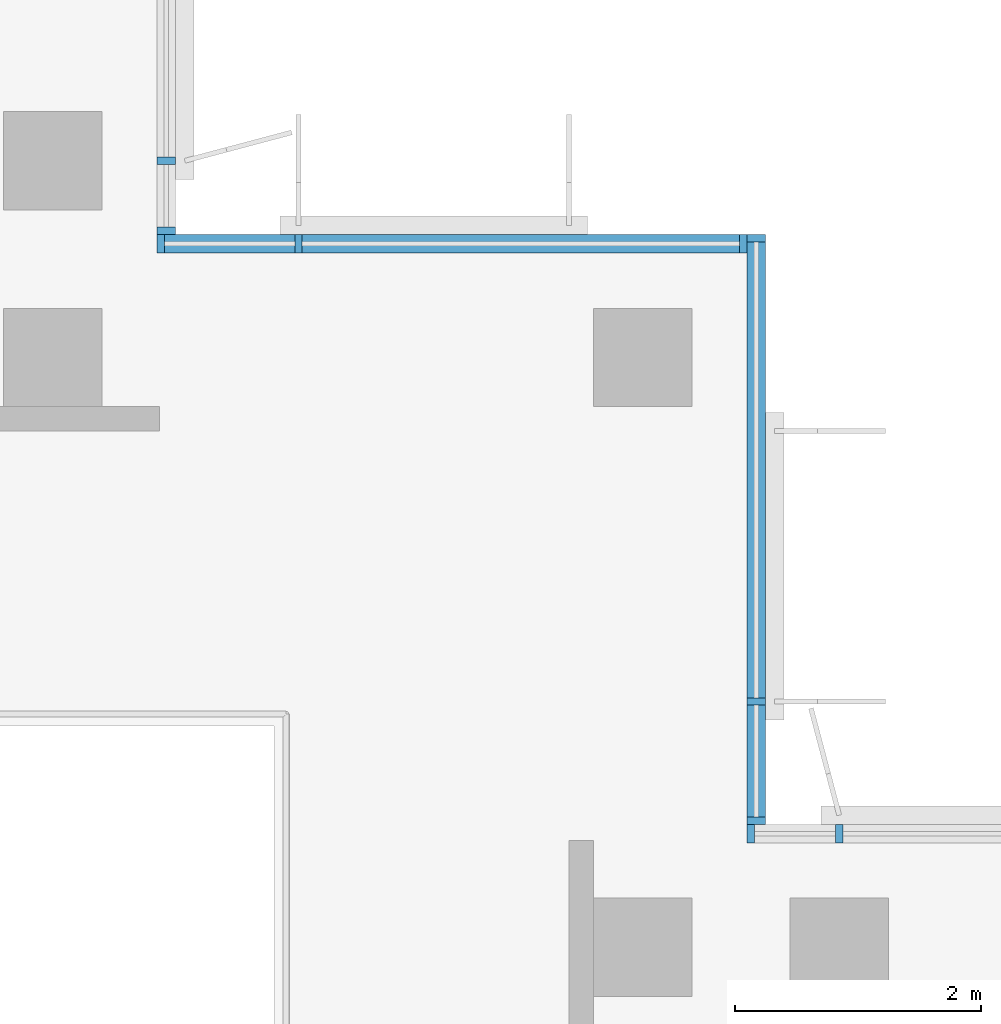
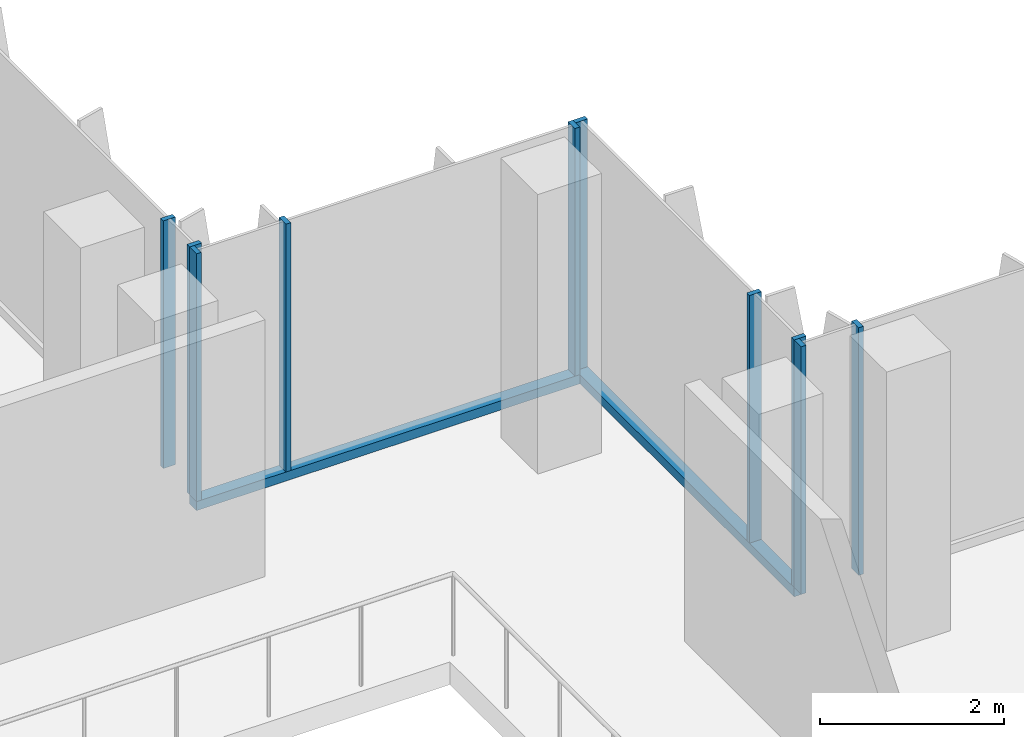
# One storey, part 2 of 15: 12 members, 4 elements without a shape of their own.
"""IFC4 building model written with IfcOpenShell, lengths in metres."""

import ifcopenshell
import ifcopenshell.guid

model = None  # the IFC model being written
_history = None  # IfcOwnerHistory: only IFC2X3 demands one
_inside = {}  # id of a spatial element -> (the spatial element, [elements in it])
_under = {}  # id of a project, library or spatial element -> (it, [spatial elements below it])
_declared = {}  # id of a project -> (the project, [libraries it declares])
_typed = {}  # id of a type object -> (the type object, [elements of that type])
_made_of = {}  # id of a material, layer set ... -> (it, [elements and type objects made of it])


def new_model(schema):
    """Start an empty IFC model of exactly this schema.

    Asked for "IFC4X3", IfcOpenShell would pick the latest addendum, in which some entities
    have other attributes; the version numbers below select the first issue.
    IFC2X3 requires an IfcOwnerHistory on every rooted entity: one is made here for all.
    """
    global model, _history
    if schema == "IFC4X3":
        model = ifcopenshell.file(schema_version=(4, 3, 0, 0))
    else:
        model = ifcopenshell.file(schema=schema)
    _inside.clear()
    _under.clear()
    _declared.clear()
    _typed.clear()
    _made_of.clear()
    _history = None
    if model.schema == "IFC2X3":
        org = make("IfcOrganization", Name="unknown")
        user = make(
            "IfcPersonAndOrganization",
            ThePerson=make("IfcPerson", FamilyName="unknown"),
            TheOrganization=org,
        )
        app = make(
            "IfcApplication",
            ApplicationDeveloper=org,
            Version="unknown",
            ApplicationFullName="unknown",
            ApplicationIdentifier="unknown",
        )
        _history = make(
            "IfcOwnerHistory",
            OwningUser=user,
            OwningApplication=app,
            ChangeAction="ADDED",
            CreationDate=0,
        )
    return model


def make(cls, **values):
    """One entity of the class cls with the attributes given. An attribute that is None is left unset."""
    return model.create_entity(
        cls, **{name: value for name, value in values.items() if value is not None}
    )


def rooted(cls, **values):
    """An entity with a GlobalId (a new one), such as an element, a storey or a relation."""
    return make(cls, GlobalId=ifcopenshell.guid.new(), OwnerHistory=_history, **values)


def si_unit(unit_type, name, prefix=None):
    """IfcSIUnit, for example si_unit("LENGTHUNIT", "METRE", prefix="MILLI")."""
    return make("IfcSIUnit", UnitType=unit_type, Prefix=prefix, Name=name)


def assignment(units):
    """IfcUnitAssignment: the units of a project."""
    return None if units is None else make("IfcUnitAssignment", Units=units)


def point(xyz):
    """IfcCartesianPoint."""
    return None if xyz is None else make("IfcCartesianPoint", Coordinates=xyz)


def direction(xyz):
    """IfcDirection."""
    return None if xyz is None else make("IfcDirection", DirectionRatios=xyz)


def frame(location, z_axis=None, x_axis=None):
    """IfcAxis2Placement3D, a coordinate frame: its origin and axes. An axis left out is left unset."""
    return make(
        "IfcAxis2Placement3D",
        Location=point(location),
        Axis=direction(z_axis),
        RefDirection=direction(x_axis),
    )


def frame_2d(location, x_axis=None):
    """IfcAxis2Placement2D, a coordinate frame in the plane: its origin and x axis."""
    return make(
        "IfcAxis2Placement2D", Location=point(location), RefDirection=direction(x_axis)
    )


def origin():
    """The frame at (0, 0, 0) with its axes left unset."""
    return frame((0.0, 0.0, 0.0))


def origin_2d():
    """The frame at (0, 0) in the plane with its x axis left unset."""
    return frame_2d((0.0, 0.0))


def place(relative_to, where):
    """IfcLocalPlacement: puts the frame where relative to a parent placement (None: the world)."""
    return make(
        "IfcLocalPlacement", PlacementRelTo=relative_to, RelativePlacement=where
    )


def context(
    kind, dimensions, precision=None, world=None, true_north=None, identifier=None
):
    """IfcGeometricRepresentationContext, for example the 3D "Model" context."""
    return make(
        "IfcGeometricRepresentationContext",
        ContextIdentifier=identifier,
        ContextType=kind,
        CoordinateSpaceDimension=dimensions,
        Precision=precision,
        WorldCoordinateSystem=world,
        TrueNorth=true_north,
    )


def subcontext(parent, identifier, kind, view, scale=None):
    """IfcGeometricRepresentationSubContext, for example "Body" below "Model"."""
    return make(
        "IfcGeometricRepresentationSubContext",
        ContextIdentifier=identifier,
        ContextType=kind,
        ParentContext=parent,
        TargetScale=scale,
        TargetView=view,
    )


def project(units=None, contexts=None):
    """IfcProject with its units and contexts."""
    return rooted(
        "IfcProject",
        Name="project",
        RepresentationContexts=contexts,
        UnitsInContext=assignment(units),
    )


def spatial(cls, under=None, at=None, **own):
    """A site, building, storey or space (cls), placed at a placement, below another one or the project."""
    s = rooted(cls, ObjectPlacement=at, **own)
    if under is not None:
        _under.setdefault(under.id(), (under, []))[1].append(s)
    return s


def profile(cls, at=None, kind="AREA", **sizes):
    """A parametric profile (cls). Its sizes go by their IFC names, for example OverallWidth=200.0."""
    return make(cls, ProfileType=kind, Position=at, **sizes)


def rectangle(**sizes):
    """IfcRectangleProfileDef."""
    return profile("IfcRectangleProfileDef", **sizes)


def extrude(swept, where, along, depth):
    """IfcExtrudedAreaSolid: the profile swept, set in the frame where, extruded along a direction by depth."""
    return make(
        "IfcExtrudedAreaSolid",
        SweptArea=swept,
        Position=where,
        ExtrudedDirection=direction(along),
        Depth=depth,
    )


def shape(context_of_items, identifier, shape_type, items):
    """IfcShapeRepresentation: the items that make up one representation, for example the "Body"."""
    return make(
        "IfcShapeRepresentation",
        ContextOfItems=context_of_items,
        RepresentationIdentifier=identifier,
        RepresentationType=shape_type,
        Items=items,
    )


def source(mapping_origin, context_of_items, identifier, shape_type, items):
    """IfcRepresentationMap: a shape defined once, which mapped items show again and again."""
    return make(
        "IfcRepresentationMap",
        MappingOrigin=mapping_origin,
        MappedRepresentation=shape(context_of_items, identifier, shape_type, items),
    )


def transform(
    local_origin,
    x_axis=None,
    y_axis=None,
    z_axis=None,
    scale=None,
    scale2=None,
    scale3=None,
    uniform=True,
):
    """IfcCartesianTransformationOperator3D, or its non-uniform kind. x_axis, y_axis, z_axis: its Axis1, 2, 3."""
    if uniform:
        return make(
            "IfcCartesianTransformationOperator3D",
            Axis1=direction(x_axis),
            Axis2=direction(y_axis),
            LocalOrigin=point(local_origin),
            Scale=scale,
            Axis3=direction(z_axis),
        )
    return make(
        "IfcCartesianTransformationOperator3DnonUniform",
        Axis1=direction(x_axis),
        Axis2=direction(y_axis),
        LocalOrigin=point(local_origin),
        Scale=scale,
        Axis3=direction(z_axis),
        Scale2=scale2,
        Scale3=scale3,
    )


def mapped(mapping_source, mapping_target):
    """IfcMappedItem: shows the shape of a source again, moved by a transform."""
    return make(
        "IfcMappedItem", MappingSource=mapping_source, MappingTarget=mapping_target
    )


def material(Name=None, Category=None):
    """IfcMaterial."""
    return make("IfcMaterial", Name=Name, Category=Category)


def material_profile(
    of_material, cross_section, Name=None, Category=None, Priority=None
):
    """IfcMaterialProfile: a cross section and its material."""
    return make(
        "IfcMaterialProfile",
        Name=Name,
        Material=of_material,
        Profile=cross_section,
        Priority=Priority,
        Category=Category,
    )


def profile_set(profiles, Name=None, composite=None):
    """IfcMaterialProfileSet."""
    return make(
        "IfcMaterialProfileSet",
        Name=Name,
        MaterialProfiles=profiles,
        CompositeProfile=composite,
    )


def made_of(thing, what):
    """Note that an element or type object is made of a material, layer set ...; save() writes the relation."""
    if what is not None:
        _made_of.setdefault(what.id(), (what, []))[1].append(thing)
    return thing


def type_object(cls, material=None, **own):
    """A type object (cls), such as IfcWallType, which elements share."""
    return made_of(rooted(cls, **own), material)


def element(
    cls,
    number,
    at=None,
    inside=None,
    cuts=None,
    type_object=None,
    material=None,
    context=None,
    identifier="Body",
    shape_type=None,
    held_by="IfcProductDefinitionShape",
    body=None,
    shapes=None,
    **own,
):
    """One element of the class cls, such as IfcWall. Its Tag is "e" and its number.

    at: its placement. inside: the storey or other place that contains it. cuts: it is an
    opening in that element (IfcRelVoidsElement). A single representation is given by context,
    identifier, shape_type and body (its items); several are given by shapes. held_by: the class
    of the entity that holds the representations. save() writes the other relations.
    """
    e = rooted(cls, Tag="e%d" % number, ObjectPlacement=at, **own)
    if body is not None:
        shapes = [shape(context, identifier, shape_type, body)]
    if shapes is not None:
        e.Representation = make(held_by, Representations=shapes)
    if inside is not None:
        _inside.setdefault(inside.id(), (inside, []))[1].append(e)
    if cuts is not None:
        rooted(
            "IfcRelVoidsElement", RelatingBuildingElement=cuts, RelatedOpeningElement=e
        )
    if type_object is not None:
        _typed.setdefault(type_object.id(), (type_object, []))[1].append(e)
    return made_of(e, material)


def aggregate(whole, parts):
    """IfcRelAggregates: a whole, such as a stair, and the parts it consists of."""
    return rooted("IfcRelAggregates", RelatingObject=whole, RelatedObjects=parts)


def save(model, path):
    """Write the relations noted so far, then the file.

    IfcRelAggregates (storeys below a building ...), IfcRelContainedInSpatialStructure (elements
    in a storey), IfcRelDefinesByType, IfcRelAssociatesMaterial and IfcRelDeclares: one each for
    every whole, place, type object, material and project.
    """
    for whole, parts in _under.values():
        aggregate(whole, parts)
    for where, things in _inside.values():
        rooted(
            "IfcRelContainedInSpatialStructure",
            RelatedElements=things,
            RelatingStructure=where,
        )
    for kind, things in _typed.values():
        rooted("IfcRelDefinesByType", RelatedObjects=things, RelatingType=kind)
    for what, things in _made_of.values():
        rooted("IfcRelAssociatesMaterial", RelatedObjects=things, RelatingMaterial=what)
    for by, libraries in _declared.values():
        rooted("IfcRelDeclares", RelatingContext=by, RelatedDefinitions=libraries)
    model.write(path)


model = new_model("IFC4")

# Units and contexts
model_context = context("Model", 3, precision=1e-05, world=origin(), true_north=direction((0.0, 1.0)))
body_context = subcontext(model_context, "Body", "Model", "MODEL_VIEW")
ifc_project = project(units=[si_unit("LENGTHUNIT", "METRE"), si_unit("AREAUNIT", "SQUARE_METRE"), si_unit("VOLUMEUNIT", "CUBIC_METRE"), si_unit("PLANEANGLEUNIT", "RADIAN"), si_unit("MASSUNIT", "GRAM", prefix="KILO")], contexts=[model_context])

# Site, building, storey
site_placement = place(None, origin())
site = spatial("IfcSite", under=ifc_project, at=site_placement, CompositionType="ELEMENT")
building_placement = place(site_placement, origin())
building = spatial("IfcBuilding", under=site, at=building_placement, Name="Kemantara Hotel Tower", CompositionType="ELEMENT")
storey_placement = place(building_placement, frame((0.0, 0.0, 230.199951171875)))
storey = spatial("IfcBuildingStorey", under=building, at=storey_placement, Name="L57", CompositionType="ELEMENT", Elevation=230.199951171875)

# Curtain wall, member
ifc_material_1 = material(Name="Low-E tinted double insulated glass 36 mm", Category="glass")
curtain_wall_type = type_object("IfcCurtainWallType", Name="TOWER CURTAIN WALL, FRONT FACES", PredefinedType="USERDEFINED", material=ifc_material_1)
curtain_wall_1_placement = place(storey_placement, origin())
curtain_wall_1 = element("IfcCurtainWall", 1, at=curtain_wall_1_placement, inside=storey, type_object=curtain_wall_type, Name="CW4 L57 T4-R13-1", ObjectType="TOWER CURTAIN WALL, FRONT FACES", PredefinedType="USERDEFINED")
ifc_material_2 = material(Name="Aluminium 6063-T6 bronze anodised", Category="aluminium")
ifc_material_profile_1 = material_profile(ifc_material_2, rectangle(XDim=0.14990234375, YDim=0.1201171875, at=origin_2d()), Name="TOWER CURTAIN WALL, FRONT FACES TRANSOM")
ifc_profile_set_1 = profile_set([ifc_material_profile_1], Name="Aluminium 6063-T6 bronze anodised")
member_type_1 = type_object("IfcMemberType", Name="TOWER CURTAIN WALL, FRONT FACES TRANSOM", PredefinedType="USERDEFINED", material=ifc_profile_set_1)
member_1_placement = place(storey_placement, frame((26.72509765625, 22.0, 0.06005859375), z_axis=(0.0, 1.0, 0.0), x_axis=(-1.0, 0.0, 0.0)))
member_1 = element("IfcMember", 2, at=member_1_placement, type_object=member_type_1, Name="CW4 sill transom T4-R13-1", ObjectType="TRANSOM", PredefinedType="USERDEFINED", context=body_context, shape_type="SweptSolid", body=[
    extrude(rectangle(XDim=0.14990234375, YDim=0.1201171875, at=origin_2d()), origin(), (0.0, 0.0, 1.0), 4.800048828125),
])

curtain_wall_2_placement = place(storey_placement, origin())
curtain_wall_2 = element("IfcCurtainWall", 3, at=curtain_wall_2_placement, inside=storey, type_object=curtain_wall_type, Name="CW4 L57 T4-R14-1", ObjectType="TOWER CURTAIN WALL, FRONT FACES", PredefinedType="USERDEFINED")
member_2_placement = place(storey_placement, frame((26.64990234375, 26.72509765625, 0.06005859375), z_axis=(-1.0, 0.0, 0.0), x_axis=(0.0, -1.0, 0.0)))
member_2 = element("IfcMember", 4, at=member_2_placement, type_object=member_type_1, Name="CW4 sill transom T4-R14-1", ObjectType="TRANSOM", PredefinedType="USERDEFINED", context=body_context, shape_type="SweptSolid", body=[
    extrude(rectangle(XDim=0.14990234375, YDim=0.1201171875, at=origin_2d()), origin(), (0.0, 0.0, 1.0), 4.7998046875),
])

# Curtain wall, members
curtain_wall_3_placement = place(storey_placement, origin())
curtain_wall_3 = element("IfcCurtainWall", 5, at=curtain_wall_3_placement, inside=storey, type_object=curtain_wall_type, Name="CW4 L57 T4-R12-1", ObjectType="TOWER CURTAIN WALL, FRONT FACES", PredefinedType="USERDEFINED")
ifc_material_profile_2 = material_profile(ifc_material_2, rectangle(XDim=0.14990234375, YDim=0.06005859375, at=origin_2d()), Name="TOWER CURTAIN WALL, FRONT FACES MULLION")
ifc_profile_set_2 = profile_set([ifc_material_profile_2], Name="Aluminium 6063-T6 bronze anodised")
member_type_2 = type_object("IfcMemberType", Name="TOWER CURTAIN WALL, FRONT FACES MULLION", PredefinedType="MULLION", material=ifc_profile_set_2)
shared_shape = source(origin(), body_context, "Body", "SweptSolid", [
    extrude(rectangle(XDim=0.14990234375, YDim=0.06005859375, at=origin_2d()), origin(), (0.0, 0.0, 1.0), 3.280029296875),
])
member_3_placement = place(storey_placement, frame((27.39990234375, 21.925048828125, 0.1201171875), z_axis=(0.0, 0.0, 1.0), x_axis=(0.0, -1.0, 0.0)))
member_3 = element("IfcMember", 6, at=member_3_placement, type_object=member_type_2, Name="CW4 mullion T4-R12-1.5", PredefinedType="MULLION", context=body_context, shape_type="MappedRepresentation", body=[
    mapped(shared_shape, transform((0.0, 0.0, 0.0))),
])
member_4_placement = place(storey_placement, frame((26.679931640625, 21.925048828125, 0.1201171875), z_axis=(0.0, 0.0, 1.0), x_axis=(0.0, -1.0, 0.0)))
member_4 = element("IfcMember", 7, at=member_4_placement, type_object=member_type_2, Name="CW4 mullion T4-R12-1.6", PredefinedType="MULLION", context=body_context, shape_type="MappedRepresentation", body=[
    mapped(shared_shape, transform((0.0, 0.0, 0.0))),
])
aggregate(curtain_wall_3, [member_3, member_4])

# Member
member_5_placement = place(storey_placement, frame((26.72509765625, 22.030029296875, 0.1201171875), z_axis=(0.0, 0.0, 1.0), x_axis=(-1.0, 0.0, 0.0)))
member_5 = element("IfcMember", 8, at=member_5_placement, type_object=member_type_2, Name="CW4 mullion T4-R13-1.1", PredefinedType="MULLION", context=body_context, shape_type="MappedRepresentation", body=[
    mapped(shared_shape, transform((0.0, 0.0, 0.0))),
])

member_6_placement = place(storey_placement, frame((26.72509765625, 23.0, 0.1201171875), z_axis=(0.0, 0.0, 1.0), x_axis=(-1.0, 0.0, 0.0)))
member_6 = element("IfcMember", 9, at=member_6_placement, type_object=member_type_2, Name="CW4 mullion T4-R13-1.2", PredefinedType="MULLION", context=body_context, shape_type="MappedRepresentation", body=[
    mapped(shared_shape, transform((0.0, 0.0, 0.0))),
])

member_7_placement = place(storey_placement, frame((26.72509765625, 26.77001953125, 0.1201171875), z_axis=(0.0, 0.0, 1.0), x_axis=(-1.0, 0.0, 0.0)))
member_7 = element("IfcMember", 10, at=member_7_placement, type_object=member_type_2, Name="CW4 mullion T4-R13-1.3", PredefinedType="MULLION", context=body_context, shape_type="MappedRepresentation", body=[
    mapped(shared_shape, transform((0.0, 0.0, 0.0))),
])

aggregate(curtain_wall_1, [member_1, member_5, member_6, member_7])

member_8_placement = place(storey_placement, frame((26.6201171875, 26.72509765625, 0.1201171875), z_axis=(0.0, 0.0, 1.0), x_axis=(0.0, -1.0, 0.0)))
member_8 = element("IfcMember", 11, at=member_8_placement, type_object=member_type_2, Name="CW4 mullion T4-R14-1.1", PredefinedType="MULLION", context=body_context, shape_type="MappedRepresentation", body=[
    mapped(shared_shape, transform((0.0, 0.0, 0.0))),
])

member_9_placement = place(storey_placement, frame((23.0, 26.72509765625, 0.1201171875), z_axis=(0.0, 0.0, 1.0), x_axis=(0.0, -1.0, 0.0)))
member_9 = element("IfcMember", 12, at=member_9_placement, type_object=member_type_2, Name="CW4 mullion T4-R14-1.2", PredefinedType="MULLION", context=body_context, shape_type="MappedRepresentation", body=[
    mapped(shared_shape, transform((0.0, 0.0, 0.0))),
])

member_10_placement = place(storey_placement, frame((21.8798828125, 26.72509765625, 0.1201171875), z_axis=(0.0, 0.0, 1.0), x_axis=(0.0, -1.0, 0.0)))
member_10 = element("IfcMember", 13, at=member_10_placement, type_object=member_type_2, Name="CW4 mullion T4-R14-1.3", PredefinedType="MULLION", context=body_context, shape_type="MappedRepresentation", body=[
    mapped(shared_shape, transform((0.0, 0.0, 0.0))),
])

aggregate(curtain_wall_2, [member_2, member_8, member_9, member_10])

# Curtain wall, members
curtain_wall_4_placement = place(storey_placement, origin())
curtain_wall_4 = element("IfcCurtainWall", 14, at=curtain_wall_4_placement, inside=storey, type_object=curtain_wall_type, Name="CW4 L57 T4-R15-1", ObjectType="TOWER CURTAIN WALL, FRONT FACES", PredefinedType="USERDEFINED")
member_11_placement = place(storey_placement, frame((21.925048828125, 26.830078125, 0.1201171875), z_axis=(0.0, 0.0, 1.0), x_axis=(-1.0, 0.0, 0.0)))
member_11 = element("IfcMember", 15, at=member_11_placement, type_object=member_type_2, Name="CW4 mullion T4-R15-1.1", PredefinedType="MULLION", context=body_context, shape_type="MappedRepresentation", body=[
    mapped(shared_shape, transform((0.0, 0.0, 0.0))),
])
member_12_placement = place(storey_placement, frame((21.925048828125, 27.39990234375, 0.1201171875), z_axis=(0.0, 0.0, 1.0), x_axis=(-1.0, 0.0, 0.0)))
member_12 = element("IfcMember", 16, at=member_12_placement, type_object=member_type_2, Name="CW4 mullion T4-R15-1.2", PredefinedType="MULLION", context=body_context, shape_type="MappedRepresentation", body=[
    mapped(shared_shape, transform((0.0, 0.0, 0.0))),
])
aggregate(curtain_wall_4, [member_11, member_12])

save(model, "model.ifc")
